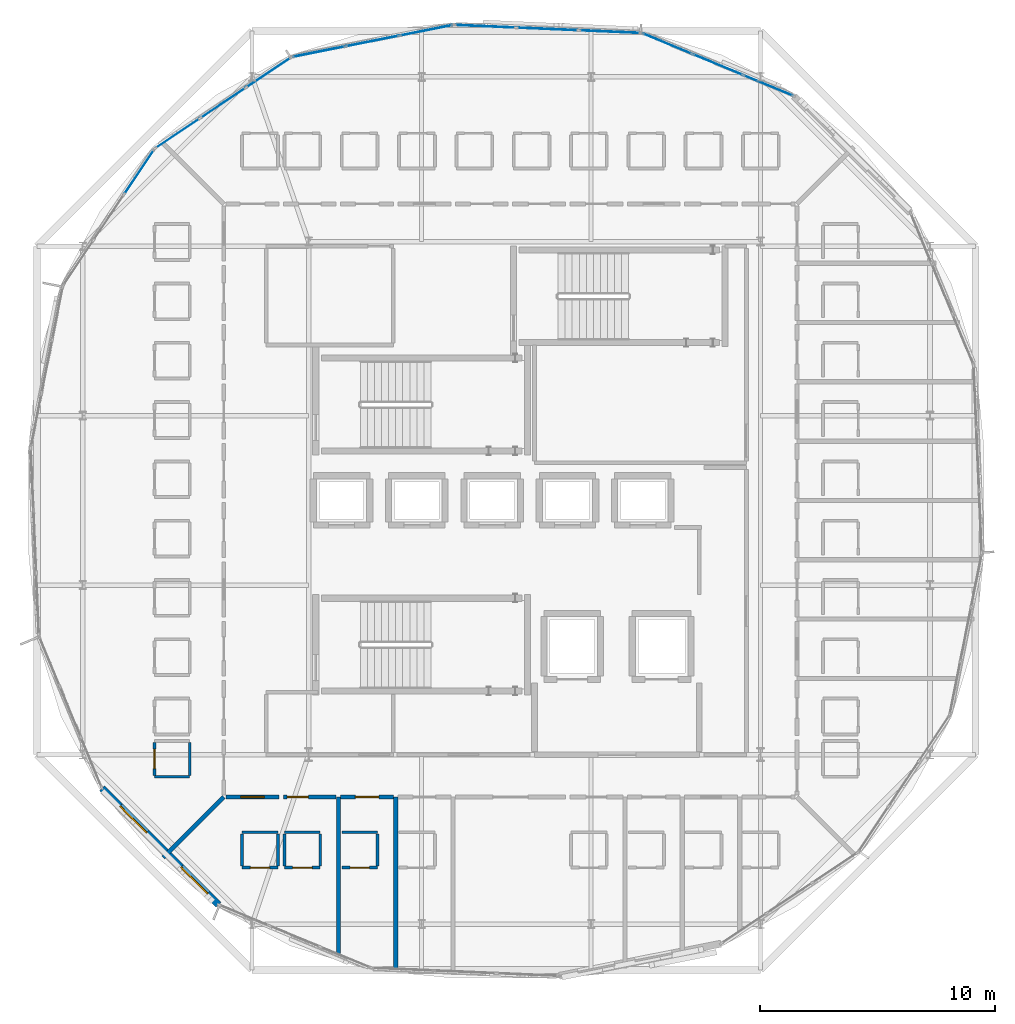
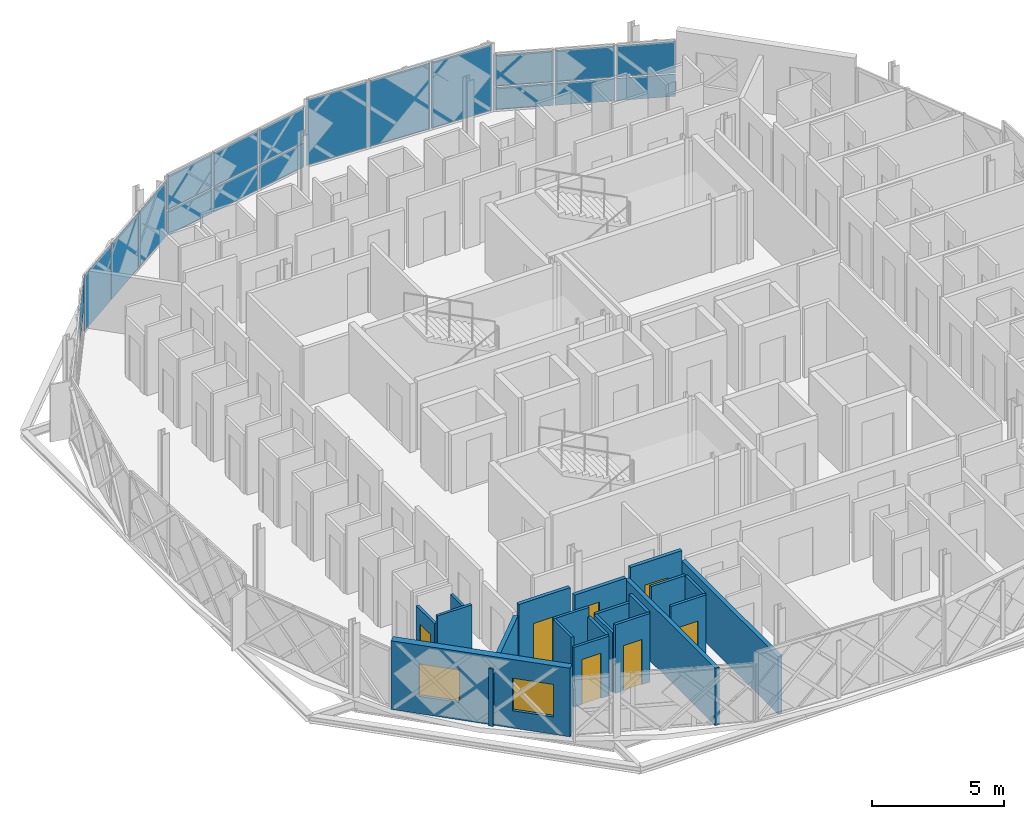
# One storey, part 12 of 24: 21 walls, 19 plates, 7 doors, 2 windows, 9 openings, 5 elements without a shape of their own.
"""IFC4 building model written with IfcOpenShell, lengths in metres."""

from ifc_helpers import new_model, si_unit, direction, frame, frame_2d, origin, origin_2d, place, context, subcontext, project, spatial, rectangle, extrude, material, layer, layer_set, type_object, element, fill, aggregate, save


model = new_model("IFC4")

# Units and contexts
model_context = context("Model", 3, precision=1e-05, world=origin(), true_north=direction((0.0, 1.0)))
body_context = subcontext(model_context, "Body", "Model", "MODEL_VIEW")
ifc_project = project(units=[si_unit("LENGTHUNIT", "METRE"), si_unit("AREAUNIT", "SQUARE_METRE"), si_unit("VOLUMEUNIT", "CUBIC_METRE"), si_unit("PLANEANGLEUNIT", "RADIAN"), si_unit("MASSUNIT", "GRAM", prefix="KILO")], contexts=[model_context])

# Site, building, storey
site_placement = place(None, origin())
site = spatial("IfcSite", under=ifc_project, at=site_placement, CompositionType="ELEMENT")
building_placement = place(site_placement, origin())
building = spatial("IfcBuilding", under=site, at=building_placement, Name="Zevrakil Square Congress Hotel", CompositionType="ELEMENT")
storey_placement = place(building_placement, frame((0.0, 0.0, 35.10009765625)))
storey = spatial("IfcBuildingStorey", under=building, at=storey_placement, Name="L10", CompositionType="ELEMENT", Elevation=35.10009765625)

# Curtain wall, plates
ifc_material_1 = material(Name="Aluminium Anodised Bronze", Category="aluminium")
ifc_layer_1 = layer(ifc_material_1, 0.179931640625)
ifc_layer_set_1 = layer_set([ifc_layer_1], Name="Aluminium Anodised Bronze")
curtain_wall_type_1 = type_object("IfcCurtainWallType", Name="CW-L10-720", PredefinedType="USERDEFINED", material=ifc_layer_set_1)
curtain_wall_1_placement = place(storey_placement, origin())
curtain_wall_1 = element("IfcCurtainWall", 1, at=curtain_wall_1_placement, inside=storey, type_object=curtain_wall_type_1, Name="L10 diamond curtain wall CW-L10-0276", ObjectType="GLAZED CURTAIN WALL", PredefinedType="USERDEFINED")
ifc_material_2 = material(Name="Low-E Solar Control Double Glazing", Category="glass")
ifc_layer_2 = layer(ifc_material_2, 0.028076171875)
ifc_layer_set_2 = layer_set([ifc_layer_2], Name="Low-E Solar Control Double Glazing")
plate_type_1 = type_object("IfcPlateType", Name="CWP-GLAZ-28", PredefinedType="CURTAIN_PANEL", material=ifc_layer_set_2)
plate_1_placement = place(storey_placement, frame((156.32958984375, 45.228515625, 0.059814453125), z_axis=(0.0, 0.0, 1.0), x_axis=(-0.92387939537, 0.382683763454, 0.0)))
plate_1 = element("IfcPlate", 2, at=plate_1_placement, type_object=plate_type_1, Name="CW-118 panel 1.1", PredefinedType="CURTAIN_PANEL", context=body_context, shape_type="SweptSolid", body=[
    extrude(rectangle(XDim=2.245361328125, YDim=0.028076171875, at=origin_2d()), origin(), (0.0, 0.0, 1.0), 1.02294921875),
])
plate_2_placement = place(storey_placement, frame((154.18603515625, 46.116455078125, 1.14306640625), z_axis=(0.0, 0.0, 1.0), x_axis=(-0.92387939537, 0.382683763454, 0.0)))
plate_2 = element("IfcPlate", 3, at=plate_2_placement, type_object=plate_type_1, Name="CW-118 panel 2.2", PredefinedType="CURTAIN_PANEL", context=body_context, shape_type="SweptSolid", body=[
    extrude(rectangle(XDim=2.275146484375, YDim=0.028076171875, at=origin_2d()), origin(), (0.0, 0.0, 1.0), 1.447021484375),
])
plate_3_placement = place(storey_placement, frame((152.04248046875, 47.00439453125, 1.14306640625), z_axis=(0.0, 0.0, 1.0), x_axis=(-0.92387939537, 0.382683763454, 0.0)))
plate_3 = element("IfcPlate", 4, at=plate_3_placement, type_object=plate_type_1, Name="CW-118 panel 3.2", PredefinedType="CURTAIN_PANEL", context=body_context, shape_type="SweptSolid", body=[
    extrude(rectangle(XDim=2.245361328125, YDim=0.028076171875, at=origin_2d()), origin(), (0.0, 0.0, 1.0), 1.447021484375),
])

# Curtain wall, plate
ifc_material_3 = material(Name="Aluminium Anodised Bronze", Category="aluminium")
ifc_layer_3 = layer(ifc_material_3, 0.179931640625)
ifc_layer_set_3 = layer_set([ifc_layer_3], Name="Aluminium Anodised Bronze")
curtain_wall_type_2 = type_object("IfcCurtainWallType", Name="CW-L10-840", PredefinedType="USERDEFINED", material=ifc_layer_set_3)
curtain_wall_2_placement = place(storey_placement, origin())
curtain_wall_2 = element("IfcCurtainWall", 5, at=curtain_wall_2_placement, inside=storey, type_object=curtain_wall_type_2, Name="L10 diamond curtain wall CW-L10-0277", ObjectType="GLAZED CURTAIN WALL", PredefinedType="USERDEFINED")
plate_4_placement = place(storey_placement, frame((144.30078125, 47.743896484375, 0.06005859375), z_axis=(0.0, 0.0, 1.0), x_axis=(-0.999070669923, 0.043102163504, 0.0)))
plate_4 = element("IfcPlate", 6, at=plate_4_placement, type_object=plate_type_1, Name="CW-119 panel 3.1", PredefinedType="CURTAIN_PANEL", context=body_context, shape_type="SweptSolid", body=[
    extrude(rectangle(XDim=2.578125, YDim=0.028076171875, at=origin_2d()), origin(), (0.0, 0.0, 1.0), 3.044921875),
])

# Curtain wall, plates
curtain_wall_3_placement = place(storey_placement, origin())
curtain_wall_3 = element("IfcCurtainWall", 7, at=curtain_wall_3_placement, inside=storey, type_object=curtain_wall_type_1, Name="L10 diamond curtain wall CW-L10-0278", ObjectType="GLAZED CURTAIN WALL", PredefinedType="USERDEFINED")
plate_5_placement = place(storey_placement, frame((141.793212890625, 47.5712890625, 1.226806640625), z_axis=(0.0, 0.0, 1.0), x_axis=(-0.980786557708, -0.195083900459, 0.0)))
plate_5 = element("IfcPlate", 8, at=plate_5_placement, type_object=plate_type_1, Name="CW-118 panel 1.2", PredefinedType="CURTAIN_PANEL", context=body_context, shape_type="SweptSolid", body=[
    extrude(rectangle(XDim=2.2451171875, YDim=0.028076171875, at=origin_2d()), origin(), (0.0, 0.0, 1.0), 1.56298828125),
])
plate_6_placement = place(storey_placement, frame((139.517333984375, 47.11865234375, 1.226806640625), z_axis=(0.0, 0.0, 1.0), x_axis=(-0.980786557708, -0.195083900459, 0.0)))
plate_6 = element("IfcPlate", 9, at=plate_6_placement, type_object=plate_type_1, Name="CW-118 panel 2.2", PredefinedType="CURTAIN_PANEL", context=body_context, shape_type="SweptSolid", body=[
    extrude(rectangle(XDim=2.275146484375, YDim=0.028076171875, at=origin_2d()), origin(), (0.0, 0.0, 1.0), 1.56298828125),
])

curtain_wall_4_placement = place(storey_placement, origin())
curtain_wall_4 = element("IfcCurtainWall", 10, at=curtain_wall_4_placement, inside=storey, type_object=curtain_wall_type_1, Name="L10 diamond curtain wall CW-L10-0279", ObjectType="GLAZED CURTAIN WALL", PredefinedType="USERDEFINED")
plate_7_placement = place(storey_placement, frame((135.0986328125, 45.7783203125, 0.06005859375), z_axis=(0.0, 0.0, 1.0), x_axis=(-0.831465693332, -0.555576098128, 0.0)))
plate_7 = element("IfcPlate", 11, at=plate_7_placement, type_object=plate_type_1, Name="CW-118 panel 1.1", PredefinedType="CURTAIN_PANEL", context=body_context, shape_type="SweptSolid", body=[
    extrude(rectangle(XDim=2.2451171875, YDim=0.028076171875, at=origin_2d()), origin(), (0.0, 0.0, 1.0), 2.530029296875),
])
plate_8_placement = place(storey_placement, frame((131.240234375, 43.2001953125, 0.06005859375), z_axis=(0.0, 0.0, 1.0), x_axis=(-0.831465693332, -0.555576098128, 0.0)))
plate_8 = element("IfcPlate", 12, at=plate_8_placement, type_object=plate_type_1, Name="CW-118 panel 3.1", PredefinedType="CURTAIN_PANEL", context=body_context, shape_type="SweptSolid", body=[
    extrude(rectangle(XDim=2.2451171875, YDim=0.028076171875, at=origin_2d()), origin(), (0.0, 0.0, 1.0), 2.530029296875),
])

# Curtain wall, plate
curtain_wall_5_placement = place(storey_placement, origin())
curtain_wall_5 = element("IfcCurtainWall", 13, at=curtain_wall_5_placement, inside=storey, type_object=curtain_wall_type_1, Name="L10 diamond curtain wall CW-L10-0280", ObjectType="GLAZED CURTAIN WALL", PredefinedType="USERDEFINED")
plate_9_placement = place(storey_placement, frame((129.599853515625, 41.559814453125, 1.14306640625), z_axis=(0.0, 0.0, 1.0), x_axis=(-0.555576098128, -0.831465693332, 0.0)))
plate_9 = element("IfcPlate", 14, at=plate_9_placement, type_object=plate_type_1, Name="CW-118 panel 1.2", PredefinedType="CURTAIN_PANEL", context=body_context, shape_type="SweptSolid", body=[
    extrude(rectangle(XDim=2.2451171875, YDim=0.028076171875, at=origin_2d()), origin(), (0.0, 0.0, 1.0), 1.447021484375),
])
aggregate(curtain_wall_5, [plate_9])

# Plate
ifc_material_4 = material(Name="Basalt Grey Ribbed GRC Panel", Category="masonry")
ifc_layer_4 = layer(ifc_material_4, 0.0439453125)
ifc_layer_set_4 = layer_set([ifc_layer_4], Name="Basalt Grey Ribbed GRC Panel")
plate_type_2 = type_object("IfcPlateType", Name="CWP-GRCG-44", PredefinedType="CURTAIN_PANEL", material=ifc_layer_set_4)
plate_10_placement = place(storey_placement, frame((154.18603515625, 46.116455078125, 0.059814453125), z_axis=(0.0, 0.0, 1.0), x_axis=(-0.92387939537, 0.382683763454, 0.0)))
plate_10 = element("IfcPlate", 15, at=plate_10_placement, type_object=plate_type_2, Name="CW-118 panel 2.1", PredefinedType="CURTAIN_PANEL", context=body_context, shape_type="SweptSolid", body=[
    extrude(rectangle(XDim=2.275146484375, YDim=0.028076171875, at=origin_2d()), origin(), (0.0, 0.0, 1.0), 1.02294921875),
])

plate_11_placement = place(storey_placement, frame((146.951416015625, 47.62939453125, 0.06005859375), z_axis=(0.0, 0.0, 1.0), x_axis=(-0.999070669923, 0.043102163504, 0.0)))
plate_11 = element("IfcPlate", 16, at=plate_11_placement, type_object=plate_type_2, Name="CW-119 panel 2.1", PredefinedType="CURTAIN_PANEL", context=body_context, shape_type="SweptSolid", body=[
    extrude(rectangle(XDim=2.608154296875, YDim=0.028076171875, at=origin_2d()), origin(), (0.0, 0.0, 1.0), 3.044921875),
])

plate_12_placement = place(storey_placement, frame((141.793212890625, 47.5712890625, 0.059814453125), z_axis=(0.0, 0.0, 1.0), x_axis=(-0.980786557708, -0.195083900459, 0.0)))
plate_12 = element("IfcPlate", 17, at=plate_12_placement, type_object=plate_type_2, Name="CW-118 panel 1.1", PredefinedType="CURTAIN_PANEL", context=body_context, shape_type="SweptSolid", body=[
    extrude(rectangle(XDim=2.2451171875, YDim=0.028076171875, at=origin_2d()), origin(), (0.0, 0.0, 1.0), 1.10693359375),
])

plate_13_placement = place(storey_placement, frame((137.24169921875, 46.666015625, 1.226806640625), z_axis=(0.0, 0.0, 1.0), x_axis=(-0.980786557708, -0.195083900459, 0.0)))
plate_13 = element("IfcPlate", 18, at=plate_13_placement, type_object=plate_type_2, Name="CW-118 panel 3.2", PredefinedType="CURTAIN_PANEL", context=body_context, shape_type="SweptSolid", body=[
    extrude(rectangle(XDim=2.2451171875, YDim=0.028076171875, at=origin_2d()), origin(), (0.0, 0.0, 1.0), 1.56298828125),
])

ifc_material_5 = material(Name="White Ribbed Highland GRC Panel", Category="concrete")
ifc_layer_5 = layer(ifc_material_5, 0.0400390625)
ifc_layer_set_5 = layer_set([ifc_layer_5], Name="White Ribbed Highland GRC Panel")
plate_type_3 = type_object("IfcPlateType", Name="CWP-GRCW-40", PredefinedType="CURTAIN_PANEL", material=ifc_layer_set_5)
plate_14_placement = place(storey_placement, frame((156.32958984375, 45.228515625, 1.14306640625), z_axis=(0.0, 0.0, 1.0), x_axis=(-0.92387939537, 0.382683763454, 0.0)))
plate_14 = element("IfcPlate", 19, at=plate_14_placement, type_object=plate_type_3, Name="CW-118 panel 1.2", PredefinedType="CURTAIN_PANEL", context=body_context, shape_type="SweptSolid", body=[
    extrude(rectangle(XDim=2.245361328125, YDim=0.028076171875, at=origin_2d()), origin(), (0.0, 0.0, 1.0), 1.447021484375),
])

plate_15_placement = place(storey_placement, frame((152.04248046875, 47.00439453125, 0.059814453125), z_axis=(0.0, 0.0, 1.0), x_axis=(-0.92387939537, 0.382683763454, 0.0)))
plate_15 = element("IfcPlate", 20, at=plate_15_placement, type_object=plate_type_3, Name="CW-118 panel 3.1", PredefinedType="CURTAIN_PANEL", context=body_context, shape_type="SweptSolid", body=[
    extrude(rectangle(XDim=2.245361328125, YDim=0.028076171875, at=origin_2d()), origin(), (0.0, 0.0, 1.0), 1.02294921875),
])

aggregate(curtain_wall_1, [plate_1, plate_14, plate_10, plate_2, plate_15, plate_3])

plate_16_placement = place(storey_placement, frame((149.60205078125, 47.51513671875, 0.06005859375), z_axis=(0.0, 0.0, 1.0), x_axis=(-0.999070669923, 0.043102163504, 0.0)))
plate_16 = element("IfcPlate", 21, at=plate_16_placement, type_object=plate_type_3, Name="CW-119 panel 1.1", PredefinedType="CURTAIN_PANEL", context=body_context, shape_type="SweptSolid", body=[
    extrude(rectangle(XDim=2.578125, YDim=0.028076171875, at=origin_2d()), origin(), (0.0, 0.0, 1.0), 3.044921875),
])

aggregate(curtain_wall_2, [plate_16, plate_11, plate_4])

plate_17_placement = place(storey_placement, frame((139.517333984375, 47.11865234375, 0.059814453125), z_axis=(0.0, 0.0, 1.0), x_axis=(-0.980786557708, -0.195083900459, 0.0)))
plate_17 = element("IfcPlate", 22, at=plate_17_placement, type_object=plate_type_3, Name="CW-118 panel 2.1", PredefinedType="CURTAIN_PANEL", context=body_context, shape_type="SweptSolid", body=[
    extrude(rectangle(XDim=2.275146484375, YDim=0.028076171875, at=origin_2d()), origin(), (0.0, 0.0, 1.0), 1.10693359375),
])

plate_18_placement = place(storey_placement, frame((137.24169921875, 46.666015625, 0.059814453125), z_axis=(0.0, 0.0, 1.0), x_axis=(-0.980786557708, -0.195083900459, 0.0)))
plate_18 = element("IfcPlate", 23, at=plate_18_placement, type_object=plate_type_3, Name="CW-118 panel 3.1", PredefinedType="CURTAIN_PANEL", context=body_context, shape_type="SweptSolid", body=[
    extrude(rectangle(XDim=2.2451171875, YDim=0.028076171875, at=origin_2d()), origin(), (0.0, 0.0, 1.0), 1.10693359375),
])

aggregate(curtain_wall_3, [plate_12, plate_5, plate_17, plate_6, plate_18, plate_13])

plate_19_placement = place(storey_placement, frame((133.16943359375, 44.4892578125, 0.06005859375), z_axis=(0.0, 0.0, 1.0), x_axis=(-0.831465693332, -0.555576098128, 0.0)))
plate_19 = element("IfcPlate", 24, at=plate_19_placement, type_object=plate_type_3, Name="CW-118 panel 2.1", PredefinedType="CURTAIN_PANEL", context=body_context, shape_type="SweptSolid", body=[
    extrude(rectangle(XDim=2.275146484375, YDim=0.028076171875, at=origin_2d()), origin(), (0.0, 0.0, 1.0), 2.530029296875),
])

aggregate(curtain_wall_4, [plate_7, plate_19, plate_8])

# Wall, opening, door
ifc_material_6 = material(Name="Gypsum Acoustic Stud Partition")
ifc_layer_6 = layer(ifc_material_6, 0.159912109375)
ifc_layer_set_6 = layer_set([ifc_layer_6], Name="Gypsum Acoustic Stud Partition")
wall_type_1 = type_object("IfcWallType", Name="WAL-CORR-160", PredefinedType="PARTITIONING", material=ifc_layer_set_6)
wall_1_placement = place(storey_placement, frame((133.294921875, 15.0, 0.0), z_axis=(0.0, 0.0, 1.0), x_axis=(1.0, 0.0, 0.0)))
wall_1 = element("IfcWall", 25, at=wall_1_placement, inside=storey, type_object=wall_type_1, Name="L10 interior partition PW-L10-1582", PredefinedType="PARTITIONING", context=body_context, shape_type="SweptSolid", body=[
    extrude(rectangle(XDim=2.2451171875, YDim=0.159912109375, at=frame_2d((1.12255859375, 0.0))), origin(), (0.0, 0.0, 1.0), 3.164794921875),
])
opening_1_placement = place(wall_1_placement, frame((0.630615234375, 0.0, 0.0)))
opening_1 = element("IfcOpeningElement", 26, at=opening_1_placement, cuts=wall_1, Name="Opening ID-H12", PredefinedType="OPENING", context=body_context, shape_type="SweptSolid", body=[
    extrude(rectangle(XDim=0.98388671875, YDim=2.070068359375, at=frame_2d((0.491943359375, 1.03515625))), frame((0.0, 0.08984375, 0.0), z_axis=(0.0, -1.0, 0.0), x_axis=(1.0, 0.0, 0.0)), (0.0, 0.0, 1.0), 0.179931640625),
])
ifc_material_7 = material(Name="Acoustic Timber Fire Door", Category="wood")
door_type_1 = type_object("IfcDoorType", Name="DOR-INT-H12", OperationType="NOTDEFINED", PredefinedType="DOOR", material=ifc_material_7)
door_1_placement = place(opening_1_placement, origin())
door_1 = element("IfcDoor", 27, at=door_1_placement, inside=storey, type_object=door_type_1, Name="L10 interior door 615", OperationType="SINGLE_SWING_LEFT", OverallHeight=2.070068359375, OverallWidth=0.98388671875, PredefinedType="DOOR", context=body_context, shape_type="SweptSolid", body=[
    extrude(rectangle(XDim=0.98388671875, YDim=2.070068359375, at=frame_2d((0.491943359375, 1.03515625))), frame((0.0, 0.02490234375, 0.0), z_axis=(0.0, -1.0, 0.0), x_axis=(1.0, 0.0, 0.0)), (0.0, 0.0, 1.0), 0.050048828125),
])
fill(opening_1, door_1)

wall_2_placement = place(storey_placement, frame((135.72998046875, 15.0, 0.0), z_axis=(0.0, 0.0, 1.0), x_axis=(1.0, 0.0, 0.0)))
wall_2 = element("IfcWall", 28, at=wall_2_placement, inside=storey, type_object=wall_type_1, Name="L10 interior partition PW-L10-1588", PredefinedType="PARTITIONING", context=body_context, shape_type="SweptSolid", body=[
    extrude(rectangle(XDim=2.2451171875, YDim=0.159912109375, at=frame_2d((1.12255859375, 0.0))), origin(), (0.0, 0.0, 1.0), 2.75),
])
opening_2_placement = place(wall_2_placement, frame((0.159912109375, 0.0, 0.0)))
opening_2 = element("IfcOpeningElement", 29, at=opening_2_placement, cuts=wall_2, Name="Opening ID-G03", PredefinedType="OPENING", context=body_context, shape_type="SweptSolid", body=[
    extrude(rectangle(XDim=0.905029296875, YDim=2.050048828125, at=frame_2d((0.45263671875, 1.02490234375))), frame((0.0, 0.08984375, 0.0), z_axis=(0.0, -1.0, 0.0), x_axis=(1.0, 0.0, 0.0)), (0.0, 0.0, 1.0), 0.179931640625),
])
ifc_material_8 = material(Name="Acoustic Timber Fire Door", Category="wood")
door_type_2 = type_object("IfcDoorType", Name="DOR-INT-G03", OperationType="NOTDEFINED", PredefinedType="DOOR", material=ifc_material_8)
door_2_placement = place(opening_2_placement, origin())
door_2 = element("IfcDoor", 30, at=door_2_placement, inside=storey, type_object=door_type_2, Name="L10 interior door 617", OperationType="SINGLE_SWING_LEFT", OverallHeight=2.050048828125, OverallWidth=0.905029296875, PredefinedType="DOOR", context=body_context, shape_type="SweptSolid", body=[
    extrude(rectangle(XDim=0.905029296875, YDim=2.050048828125, at=frame_2d((0.45263671875, 1.02490234375))), frame((0.0, 0.02490234375, 0.0), z_axis=(0.0, -1.0, 0.0), x_axis=(1.0, 0.0, 0.0)), (0.0, 0.0, 1.0), 0.050048828125),
])
fill(opening_2, door_2)

wall_3_placement = place(storey_placement, frame((138.1650390625, 15.0, 0.0), z_axis=(0.0, 0.0, 1.0), x_axis=(1.0, 0.0, 0.0)))
wall_3 = element("IfcWall", 31, at=wall_3_placement, inside=storey, type_object=wall_type_1, Name="L10 interior partition PW-L10-1594", PredefinedType="PARTITIONING", context=body_context, shape_type="SweptSolid", body=[
    extrude(rectangle(XDim=2.244873046875, YDim=0.159912109375, at=frame_2d((1.12255859375, 0.0))), origin(), (0.0, 0.0, 1.0), 3.164794921875),
])
opening_3_placement = place(wall_3_placement, frame((0.618408203125, 0.0, 0.0)))
opening_3 = element("IfcOpeningElement", 32, at=opening_3_placement, cuts=wall_3, Name="Opening ID-H14", PredefinedType="OPENING", context=body_context, shape_type="SweptSolid", body=[
    extrude(rectangle(XDim=1.008056640625, YDim=2.1298828125, at=frame_2d((0.50390625, 1.06494140625))), frame((0.0, 0.08984375, 0.0), z_axis=(0.0, -1.0, 0.0), x_axis=(1.0, 0.0, 0.0)), (0.0, 0.0, 1.0), 0.179931640625),
])
ifc_material_9 = material(Name="Acoustic Timber Fire Door", Category="wood")
door_type_3 = type_object("IfcDoorType", Name="DOR-INT-H14", OperationType="NOTDEFINED", PredefinedType="DOOR", material=ifc_material_9)
door_3_placement = place(opening_3_placement, origin())
door_3 = element("IfcDoor", 33, at=door_3_placement, inside=storey, type_object=door_type_3, Name="L10 interior door 619", OperationType="SINGLE_SWING_LEFT", OverallHeight=2.1298828125, OverallWidth=1.008056640625, PredefinedType="DOOR", context=body_context, shape_type="SweptSolid", body=[
    extrude(rectangle(XDim=1.008056640625, YDim=2.1298828125, at=frame_2d((0.50390625, 1.06494140625))), frame((0.0, 0.02490234375, 0.0), z_axis=(0.0, -1.0, 0.0), x_axis=(1.0, 0.0, 0.0)), (0.0, 0.0, 1.0), 0.050048828125),
])
fill(opening_3, door_3)

ifc_material_10 = material(Name="Moisture-Resistant Gypsum Partition")
ifc_layer_7 = layer(ifc_material_10, 0.1201171875)
ifc_layer_set_7 = layer_set([ifc_layer_7], Name="Moisture-Resistant Gypsum Partition")
wall_type_2 = type_object("IfcWallType", Name="WAL-ENS-120", PredefinedType="PARTITIONING", material=ifc_layer_set_7)
wall_4_placement = place(storey_placement, frame((133.97509765625, 12.0, 0.0), z_axis=(0.0, 0.0, 1.0), x_axis=(1.0, 0.0, 0.0)))
wall_4 = element("IfcWall", 34, at=wall_4_placement, inside=storey, type_object=wall_type_2, Name="L10 interior partition PW-L10-1583", PredefinedType="PARTITIONING", context=body_context, shape_type="SweptSolid", body=[
    extrude(rectangle(XDim=1.52001953125, YDim=0.1201171875, at=frame_2d((0.760009765625, 0.0))), origin(), (0.0, 0.0, 1.0), 2.75),
])
opening_4_placement = place(wall_4_placement, frame((0.35009765625, 0.0, 0.0)))
opening_4 = element("IfcOpeningElement", 35, at=opening_4_placement, cuts=wall_4, Name="Opening ID-11", PredefinedType="OPENING", context=body_context, shape_type="SweptSolid", body=[
    extrude(rectangle(XDim=0.820068359375, YDim=2.080078125, at=frame_2d((0.41015625, 1.0400390625))), frame((0.0, 0.070068359375, 0.0), z_axis=(0.0, -1.0, 0.0), x_axis=(1.0, 0.0, 0.0)), (0.0, 0.0, 1.0), 0.14013671875),
])
ifc_material_11 = material(Name="Acoustic Timber Door", Category="wood")
door_type_4 = type_object("IfcDoorType", Name="DOR-INT-V01", OperationType="NOTDEFINED", PredefinedType="DOOR", material=ifc_material_11)
door_4_placement = place(opening_4_placement, origin())
door_4 = element("IfcDoor", 36, at=door_4_placement, inside=storey, type_object=door_type_4, Name="L10 interior door 616", OperationType="SINGLE_SWING_RIGHT", OverallHeight=2.080078125, OverallWidth=0.820068359375, PredefinedType="DOOR", context=body_context, shape_type="SweptSolid", body=[
    extrude(rectangle(XDim=0.820068359375, YDim=2.080078125, at=frame_2d((0.41015625, 1.0400390625))), frame((0.0, 0.02490234375, 0.0), z_axis=(0.0, -1.0, 0.0), x_axis=(1.0, 0.0, 0.0)), (0.0, 0.0, 1.0), 0.050048828125),
])
fill(opening_4, door_4)

# Walls
wall_5_placement = place(storey_placement, frame((133.97509765625, 13.5, 0.0), z_axis=(0.0, 0.0, 1.0), x_axis=(1.0, 0.0, 0.0)))
element("IfcWall", 37, at=wall_5_placement, inside=storey, type_object=wall_type_2, Name="L10 interior partition PW-L10-1584", PredefinedType="PARTITIONING", context=body_context, shape_type="SweptSolid", body=[
    extrude(rectangle(XDim=1.52001953125, YDim=0.1201171875, at=frame_2d((0.760009765625, 0.0))), origin(), (0.0, 0.0, 1.0), 3.164794921875),
])
wall_6_placement = place(storey_placement, frame((133.97509765625, 12.06494140625, 0.0), z_axis=(0.0, 0.0, 1.0), x_axis=(0.0, 1.0, 0.0)))
element("IfcWall", 38, at=wall_6_placement, inside=storey, type_object=wall_type_2, Name="L10 interior partition PW-L10-1585", PredefinedType="PARTITIONING", context=body_context, shape_type="SweptSolid", body=[
    extrude(rectangle(XDim=1.3701171875, YDim=0.1201171875, at=frame_2d((0.68505859375, 0.0))), origin(), (0.0, 0.0, 1.0), 3.164794921875),
])
wall_7_placement = place(storey_placement, frame((135.4951171875, 12.06494140625, 0.0), z_axis=(0.0, 0.0, 1.0), x_axis=(0.0, 1.0, 0.0)))
element("IfcWall", 39, at=wall_7_placement, inside=storey, type_object=wall_type_2, Name="L10 interior partition PW-L10-1586", PredefinedType="PARTITIONING", context=body_context, shape_type="SweptSolid", body=[
    extrude(rectangle(XDim=1.3701171875, YDim=0.1201171875, at=frame_2d((0.68505859375, 0.0))), origin(), (0.0, 0.0, 1.0), 2.75),
])

# Wall, opening, door
wall_8_placement = place(storey_placement, frame((135.77490234375, 12.0, 0.0), z_axis=(0.0, 0.0, 1.0), x_axis=(1.0, 0.0, 0.0)))
wall_8 = element("IfcWall", 40, at=wall_8_placement, inside=storey, type_object=wall_type_2, Name="L10 interior partition PW-L10-1589", PredefinedType="PARTITIONING", context=body_context, shape_type="SweptSolid", body=[
    extrude(rectangle(XDim=1.52001953125, YDim=0.1201171875, at=frame_2d((0.760009765625, 0.0))), origin(), (0.0, 0.0, 1.0), 3.164794921875),
])
opening_5_placement = place(wall_8_placement, frame((0.35009765625, 0.0, 0.0)))
opening_5 = element("IfcOpeningElement", 41, at=opening_5_placement, cuts=wall_8, Name="Opening ID-11", PredefinedType="OPENING", context=body_context, shape_type="SweptSolid", body=[
    extrude(rectangle(XDim=0.820068359375, YDim=2.080078125, at=frame_2d((0.41015625, 1.0400390625))), frame((0.0, 0.070068359375, 0.0), z_axis=(0.0, -1.0, 0.0), x_axis=(1.0, 0.0, 0.0)), (0.0, 0.0, 1.0), 0.14013671875),
])
door_5_placement = place(opening_5_placement, origin())
door_5 = element("IfcDoor", 42, at=door_5_placement, inside=storey, type_object=door_type_4, Name="L10 interior door 618", OperationType="SINGLE_SWING_RIGHT", OverallHeight=2.080078125, OverallWidth=0.820068359375, PredefinedType="DOOR", context=body_context, shape_type="SweptSolid", body=[
    extrude(rectangle(XDim=0.820068359375, YDim=2.080078125, at=frame_2d((0.41015625, 1.0400390625))), frame((0.0, 0.02490234375, 0.0), z_axis=(0.0, -1.0, 0.0), x_axis=(1.0, 0.0, 0.0)), (0.0, 0.0, 1.0), 0.050048828125),
])
fill(opening_5, door_5)

# Walls
wall_9_placement = place(storey_placement, frame((135.77490234375, 13.5, 0.0), z_axis=(0.0, 0.0, 1.0), x_axis=(1.0, 0.0, 0.0)))
element("IfcWall", 43, at=wall_9_placement, inside=storey, type_object=wall_type_2, Name="L10 interior partition PW-L10-1590", PredefinedType="PARTITIONING", context=body_context, shape_type="SweptSolid", body=[
    extrude(rectangle(XDim=1.52001953125, YDim=0.1201171875, at=frame_2d((0.760009765625, 0.0))), origin(), (0.0, 0.0, 1.0), 2.75),
])
wall_10_placement = place(storey_placement, frame((135.77490234375, 12.06494140625, 0.0), z_axis=(0.0, 0.0, 1.0), x_axis=(0.0, 1.0, 0.0)))
element("IfcWall", 44, at=wall_10_placement, inside=storey, type_object=wall_type_2, Name="L10 interior partition PW-L10-1591", PredefinedType="PARTITIONING", context=body_context, shape_type="SweptSolid", body=[
    extrude(rectangle(XDim=1.3701171875, YDim=0.1201171875, at=frame_2d((0.68505859375, 0.0))), origin(), (0.0, 0.0, 1.0), 2.75),
])
wall_11_placement = place(storey_placement, frame((137.294921875, 12.06494140625, 0.0), z_axis=(0.0, 0.0, 1.0), x_axis=(0.0, 1.0, 0.0)))
element("IfcWall", 45, at=wall_11_placement, inside=storey, type_object=wall_type_2, Name="L10 interior partition PW-L10-1592", PredefinedType="PARTITIONING", context=body_context, shape_type="SweptSolid", body=[
    extrude(rectangle(XDim=1.3701171875, YDim=0.1201171875, at=frame_2d((0.68505859375, 0.0))), origin(), (0.0, 0.0, 1.0), 3.164794921875),
])

# Wall, opening, door
wall_12_placement = place(storey_placement, frame((138.2099609375, 12.0, 0.0), z_axis=(0.0, 0.0, 1.0), x_axis=(1.0, 0.0, 0.0)))
wall_12 = element("IfcWall", 46, at=wall_12_placement, inside=storey, type_object=wall_type_2, Name="L10 interior partition PW-L10-1595", PredefinedType="PARTITIONING", context=body_context, shape_type="SweptSolid", body=[
    extrude(rectangle(XDim=1.52001953125, YDim=0.1201171875, at=frame_2d((0.760009765625, 0.0))), origin(), (0.0, 0.0, 1.0), 3.164794921875),
])
opening_6_placement = place(wall_12_placement, frame((0.35009765625, 0.0, 0.0)))
opening_6 = element("IfcOpeningElement", 47, at=opening_6_placement, cuts=wall_12, Name="Opening ID-11", PredefinedType="OPENING", context=body_context, shape_type="SweptSolid", body=[
    extrude(rectangle(XDim=0.820068359375, YDim=2.080078125, at=frame_2d((0.41015625, 1.0400390625))), frame((0.0, 0.070068359375, 0.0), z_axis=(0.0, -1.0, 0.0), x_axis=(1.0, 0.0, 0.0)), (0.0, 0.0, 1.0), 0.14013671875),
])
door_6_placement = place(opening_6_placement, origin())
door_6 = element("IfcDoor", 48, at=door_6_placement, inside=storey, type_object=door_type_4, Name="L10 interior door 620", OperationType="SINGLE_SWING_RIGHT", OverallHeight=2.080078125, OverallWidth=0.820068359375, PredefinedType="DOOR", context=body_context, shape_type="SweptSolid", body=[
    extrude(rectangle(XDim=0.820068359375, YDim=2.080078125, at=frame_2d((0.41015625, 1.0400390625))), frame((0.0, 0.02490234375, 0.0), z_axis=(0.0, -1.0, 0.0), x_axis=(1.0, 0.0, 0.0)), (0.0, 0.0, 1.0), 0.050048828125),
])
fill(opening_6, door_6)

# Walls
wall_13_placement = place(storey_placement, frame((138.2099609375, 13.5, 0.0), z_axis=(0.0, 0.0, 1.0), x_axis=(1.0, 0.0, 0.0)))
element("IfcWall", 49, at=wall_13_placement, inside=storey, type_object=wall_type_2, Name="L10 interior partition PW-L10-1596", PredefinedType="PARTITIONING", context=body_context, shape_type="SweptSolid", body=[
    extrude(rectangle(XDim=1.52001953125, YDim=0.1201171875, at=frame_2d((0.760009765625, 0.0))), origin(), (0.0, 0.0, 1.0), 3.164794921875),
])
wall_14_placement = place(storey_placement, frame((139.72998046875, 12.06494140625, 0.0), z_axis=(0.0, 0.0, 1.0), x_axis=(0.0, 1.0, 0.0)))
element("IfcWall", 50, at=wall_14_placement, inside=storey, type_object=wall_type_2, Name="L10 interior partition PW-L10-1597", PredefinedType="PARTITIONING", context=body_context, shape_type="SweptSolid", body=[
    extrude(rectangle(XDim=1.3701171875, YDim=0.1201171875, at=frame_2d((0.68505859375, 0.0))), origin(), (0.0, 0.0, 1.0), 3.164794921875),
])
wall_15_placement = place(storey_placement, frame((130.25, 15.860107421875, 0.0), z_axis=(0.0, 0.0, 1.0), x_axis=(1.0, 0.0, 0.0)))
element("IfcWall", 51, at=wall_15_placement, inside=storey, type_object=wall_type_2, Name="L10 interior partition PW-L10-1773", PredefinedType="PARTITIONING", context=body_context, shape_type="SweptSolid", body=[
    extrude(rectangle(XDim=1.5, YDim=0.1201171875, at=frame_2d((0.75, 0.0))), origin(), (0.0, 0.0, 1.0), 3.164794921875),
])

# Wall, opening, door
wall_16_placement = place(storey_placement, frame((130.25, 15.925048828125, 0.0), z_axis=(0.0, 0.0, 1.0), x_axis=(0.0, 1.0, 0.0)))
wall_16 = element("IfcWall", 52, at=wall_16_placement, inside=storey, type_object=wall_type_2, Name="L10 interior partition PW-L10-1775", PredefinedType="PARTITIONING", context=body_context, shape_type="SweptSolid", body=[
    extrude(rectangle(XDim=1.389892578125, YDim=0.1201171875, at=frame_2d((0.69482421875, 0.0))), origin(), (0.0, 0.0, 1.0), 2.75),
])
opening_7_placement = place(wall_16_placement, frame((0.284912109375, 0.0, 0.0)))
opening_7 = element("IfcOpeningElement", 53, at=opening_7_placement, cuts=wall_16, Name="Opening ID-11", PredefinedType="OPENING", context=body_context, shape_type="SweptSolid", body=[
    extrude(rectangle(XDim=0.820068359375, YDim=2.080078125, at=frame_2d((0.41015625, 1.0400390625))), frame((0.0, 0.070068359375, 0.0), z_axis=(0.0, -1.0, 0.0), x_axis=(1.0, 0.0, 0.0)), (0.0, 0.0, 1.0), 0.14013671875),
])
door_7_placement = place(opening_7_placement, origin())
door_7 = element("IfcDoor", 54, at=door_7_placement, inside=storey, type_object=door_type_4, Name="L10 interior door 690", OperationType="SINGLE_SWING_RIGHT", OverallHeight=2.080078125, OverallWidth=0.820068359375, PredefinedType="DOOR", context=body_context, shape_type="SweptSolid", body=[
    extrude(rectangle(XDim=0.820068359375, YDim=2.080078125, at=frame_2d((0.41015625, 1.0400390625))), frame((0.0, 0.02490234375, 0.0), z_axis=(0.0, -1.0, 0.0), x_axis=(1.0, 0.0, 0.0)), (0.0, 0.0, 1.0), 0.050048828125),
])
fill(opening_7, door_7)

# Wall
wall_17_placement = place(storey_placement, frame((131.75, 15.925048828125, 0.0), z_axis=(0.0, 0.0, 1.0), x_axis=(0.0, 1.0, 0.0)))
element("IfcWall", 55, at=wall_17_placement, inside=storey, type_object=wall_type_2, Name="L10 interior partition PW-L10-1776", PredefinedType="PARTITIONING", context=body_context, shape_type="SweptSolid", body=[
    extrude(rectangle(XDim=1.389892578125, YDim=0.1201171875, at=frame_2d((0.69482421875, 0.0))), origin(), (0.0, 0.0, 1.0), 2.75),
])

# Wall, openings, windows
ifc_material_12 = material(Name="Precast concrete C40/50", Category="concrete")
ifc_layer_8 = layer(ifc_material_12, 0.300048828125)
ifc_layer_set_8 = layer_set([ifc_layer_8], Name="Precast concrete C40/50")
wall_type_3 = type_object("IfcWallType", Name="WAL-EXT-DRM-300", PredefinedType="SOLIDWALL", material=ifc_layer_set_8)
wall_18_placement = place(storey_placement, frame((128.02392578125, 15.377685546875, 0.0), z_axis=(0.0, 0.0, 1.0), x_axis=(0.707124205549, -0.707089356394, 0.0)))
wall_18 = element("IfcWall", 56, at=wall_18_placement, inside=storey, type_object=wall_type_3, Name="L10 exterior GRC wall EW-L10-0135", PredefinedType="SOLIDWALL", context=body_context, shape_type="SweptSolid", body=[
    extrude(rectangle(XDim=7.005615234375, YDim=0.300048828125, at=frame_2d((3.5029296875, 0.0))), origin(), (0.0, 0.0, 1.0), 3.164794921875),
])
opening_8_placement = place(wall_18_placement, frame((4.746337890625, 0.0, 0.800048828125)))
opening_8 = element("IfcOpeningElement", 57, at=opening_8_placement, cuts=wall_18, Name="Opening WN-09", PredefinedType="OPENING", context=body_context, shape_type="SweptSolid", body=[
    extrude(rectangle(XDim=1.60009765625, YDim=1.5, at=frame_2d((0.800048828125, 0.75))), frame((0.0, 0.16015625, 0.0), z_axis=(0.0, -1.0, 0.0), x_axis=(1.0, 0.0, 0.0)), (0.0, 0.0, 1.0), 0.320068359375),
])
opening_9_placement = place(wall_18_placement, frame((1.08349609375, 0.0, 0.800048828125)))
opening_9 = element("IfcOpeningElement", 58, at=opening_9_placement, cuts=wall_18, Name="Opening WN-09", PredefinedType="OPENING", context=body_context, shape_type="SweptSolid", body=[
    extrude(rectangle(XDim=1.60009765625, YDim=1.5, at=frame_2d((0.800048828125, 0.75))), frame((0.0, 0.16015625, 0.0), z_axis=(0.0, -1.0, 0.0), x_axis=(1.0, 0.0, 0.0)), (0.0, 0.0, 1.0), 0.320068359375),
])
ifc_material_13 = material(Name="Low-E Solar Control Double Glazing", Category="glass")
window_type = type_object("IfcWindowType", Name="WIN-EXT-09", PartitioningType="SINGLE_PANEL", PredefinedType="WINDOW", material=ifc_material_13)
window_1_placement = place(opening_8_placement, origin())
window_1 = element("IfcWindow", 59, at=window_1_placement, inside=storey, type_object=window_type, Name="L10 hotel guestroom low-E window 114", OverallHeight=1.5, OverallWidth=1.60009765625, PartitioningType="SINGLE_PANEL", PredefinedType="WINDOW", context=body_context, shape_type="SweptSolid", body=[
    extrude(rectangle(XDim=1.60009765625, YDim=1.5, at=frame_2d((0.800048828125, 0.75))), frame((0.0, 0.030029296875, 0.0), z_axis=(0.0, -1.0, 0.0), x_axis=(1.0, 0.0, 0.0)), (0.0, 0.0, 1.0), 0.06005859375),
])
fill(opening_8, window_1)
window_2_placement = place(opening_9_placement, origin())
window_2 = element("IfcWindow", 60, at=window_2_placement, inside=storey, type_object=window_type, Name="L10 hotel guestroom low-E window 115", OverallHeight=1.5, OverallWidth=1.60009765625, PartitioningType="SINGLE_PANEL", PredefinedType="WINDOW", context=body_context, shape_type="SweptSolid", body=[
    extrude(rectangle(XDim=1.60009765625, YDim=1.5, at=frame_2d((0.800048828125, 0.75))), frame((0.0, 0.030029296875, 0.0), z_axis=(0.0, -1.0, 0.0), x_axis=(1.0, 0.0, 0.0)), (0.0, 0.0, 1.0), 0.06005859375),
])
fill(opening_9, window_2)

# Walls
ifc_material_14 = material(Name="Gypsum Twin-Stud Party Partition")
ifc_layer_9 = layer(ifc_material_14, 0.179931640625)
ifc_layer_set_9 = layer_set([ifc_layer_9], Name="Gypsum Twin-Stud Party Partition")
wall_type_4 = type_object("IfcWallType", Name="WAL-PARTY-180", PredefinedType="PARTITIONING", material=ifc_layer_set_9)
wall_19_placement = place(storey_placement, frame((133.199951171875, 15.0, 0.0), z_axis=(0.0, 0.0, 1.0), x_axis=(-0.707106781187, -0.707106781187, 0.0)))
element("IfcWall", 61, at=wall_19_placement, inside=storey, type_object=wall_type_4, Name="L10 interior partition PW-L10-1587", PredefinedType="PARTITIONING", context=body_context, shape_type="SweptSolid", body=[
    extrude(rectangle(XDim=3.6357421875, YDim=0.179931640625, at=frame_2d((1.81787109375, 0.0))), origin(), (0.0, 0.0, 1.0), 2.64990234375),
])
wall_20_placement = place(storey_placement, frame((138.070068359375, 8.22021484375, 0.0), z_axis=(0.0, 0.0, 1.0), x_axis=(0.0, 1.0, 0.0)))
element("IfcWall", 62, at=wall_20_placement, inside=storey, type_object=wall_type_4, Name="L10 interior partition PW-L10-1593", PredefinedType="PARTITIONING", context=body_context, shape_type="SweptSolid", body=[
    extrude(rectangle(XDim=6.77978515625, YDim=0.179931640625, at=frame_2d((3.389892578125, 0.0))), origin(), (0.0, 0.0, 1.0), 2.64990234375),
])
wall_21_placement = place(storey_placement, frame((140.5048828125, 7.691650390625, 0.0), z_axis=(0.0, 0.0, 1.0), x_axis=(0.0, 1.0, 0.0)))
element("IfcWall", 63, at=wall_21_placement, inside=storey, type_object=wall_type_4, Name="L10 interior partition PW-L10-1598", PredefinedType="PARTITIONING", context=body_context, shape_type="SweptSolid", body=[
    extrude(rectangle(XDim=7.308349609375, YDim=0.179931640625, at=frame_2d((3.654296875, 0.0))), origin(), (0.0, 0.0, 1.0), 2.64990234375),
])

save(model, "model.ifc")
